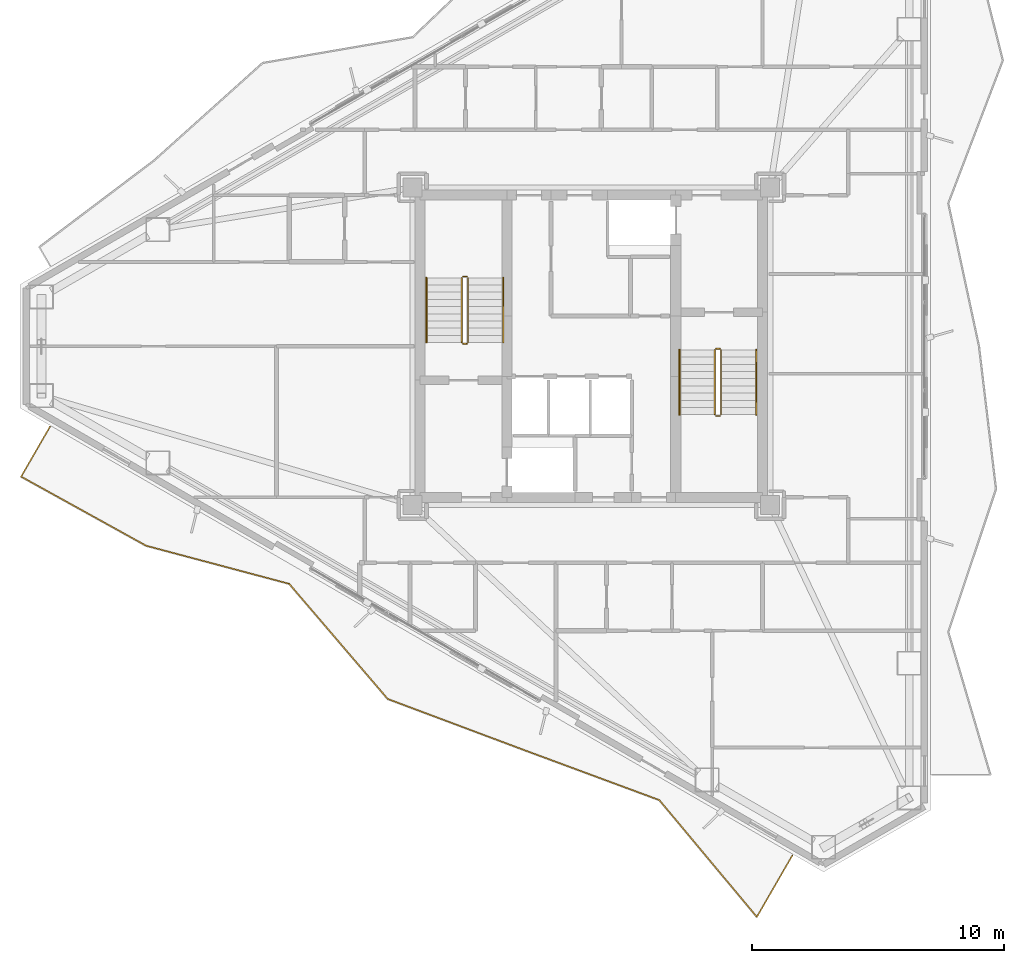
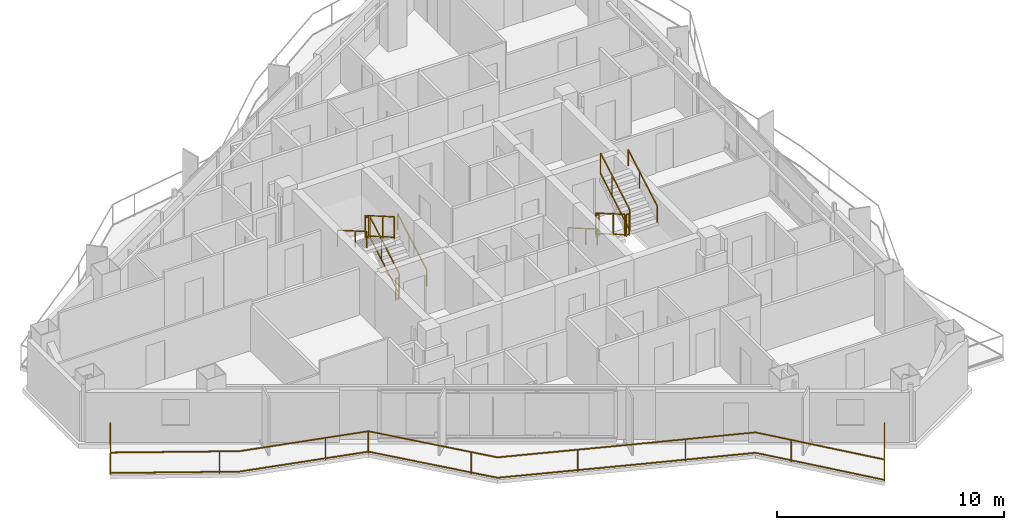
# One storey, part 17 of 18: 13 railings.
"""IFC4 building model written with IfcOpenShell, lengths in metres."""

from ifc_helpers import new_model, si_unit, direction, frame, origin, origin_2d, place, context, subcontext, project, spatial, rectangle, extrude, material, type_object, element, save


model = new_model("IFC4")

# Units and contexts
model_context = context("Model", 3, precision=1e-05, world=origin(), true_north=direction((0.0, 1.0)))
body_context = subcontext(model_context, "Body", "Model", "MODEL_VIEW")
ifc_project = project(units=[si_unit("LENGTHUNIT", "METRE"), si_unit("AREAUNIT", "SQUARE_METRE"), si_unit("VOLUMEUNIT", "CUBIC_METRE"), si_unit("PLANEANGLEUNIT", "RADIAN"), si_unit("MASSUNIT", "GRAM", prefix="KILO")], contexts=[model_context])

# Site, building, storey
site_placement = place(None, origin())
site = spatial("IfcSite", under=ifc_project, at=site_placement, CompositionType="ELEMENT")
building_placement = place(site_placement, origin())
building = spatial("IfcBuilding", under=site, at=building_placement, Name="Mersakhor Tower and Convention Hall", CompositionType="ELEMENT")
storey_placement = place(building_placement, frame((0.0, 0.0, 134.39990234375)))
storey = spatial("IfcBuildingStorey", under=building, at=storey_placement, Name="L37", CompositionType="ELEMENT", Elevation=134.39990234375)

# Railings
ifc_material_1 = material(Name="Powder-coated galvanised steel and laminated glass balustrade", Category="steel")
railing_type_1 = type_object("IfcRailingType", Name="RL-BAL-1200", PredefinedType="BALUSTRADE", material=ifc_material_1)
railing_1_placement = place(storey_placement, frame((7.497802734375, 23.5537109375, 0.0)))
element("IfcRailing", 1, at=railing_1_placement, inside=storey, type_object=railing_type_1, Name="L37 Sinusoidal Balcony Balustrade F3", PredefinedType="BALUSTRADE", context=body_context, shape_type="SweptSolid", body=[
    extrude(rectangle(XDim=0.048095703125, YDim=0.048095703125, at=origin_2d()), frame((0.0, 0.0, 1.17578125), z_axis=(-0.499987504325, -0.866032618045, 0.0), x_axis=(0.866032618045, -0.499987504325, 0.0)), (0.0, 0.0, 1.0), 2.28564453125),
    extrude(rectangle(XDim=0.048095703125, YDim=0.048095703125, at=origin_2d()), frame((0.0, 0.0, 0.080078125), z_axis=(-0.499987504325, -0.866032618045, 0.0), x_axis=(0.866032618045, -0.499987504325, 0.0)), (0.0, 0.0, 1.0), 2.28564453125),
    extrude(rectangle(XDim=0.048095703125, YDim=0.048095703125, at=origin_2d()), frame((-1.142822265625, -1.9794921875, 1.17578125), z_axis=(0.875192169092, -0.483775430504, 0.0), x_axis=(0.483775430504, 0.875192169092, 0.0)), (0.0, 0.0, 1.0), 5.67529296875),
    extrude(rectangle(XDim=0.048095703125, YDim=0.048095703125, at=origin_2d()), frame((-1.142822265625, -1.9794921875, 0.080078125), z_axis=(0.875192169092, -0.483775430504, 0.0), x_axis=(0.483775430504, 0.875192169092, 0.0)), (0.0, 0.0, 1.0), 5.67529296875),
    extrude(rectangle(XDim=0.048095703125, YDim=0.048095703125, at=origin_2d()), frame((3.82421875, -4.72509765625, 1.17578125), z_axis=(0.966330021895, -0.257305827342, 0.0), x_axis=(0.257305827342, 0.966330021895, 0.0)), (0.0, 0.0, 1.0), 5.877197265625),
    extrude(rectangle(XDim=0.048095703125, YDim=0.048095703125, at=origin_2d()), frame((3.82421875, -4.72509765625, 0.080078125), z_axis=(0.966330021895, -0.257305827342, 0.0), x_axis=(0.257305827342, 0.966330021895, 0.0)), (0.0, 0.0, 1.0), 5.877197265625),
    extrude(rectangle(XDim=0.048095703125, YDim=0.048095703125, at=origin_2d()), frame((9.50341796875, -6.2373046875, 1.17578125), z_axis=(0.650189764885, -0.759771853676, 0.0), x_axis=(0.759771853676, 0.650189764885, 0.0)), (0.0, 0.0, 1.0), 6.017578125),
    extrude(rectangle(XDim=0.048095703125, YDim=0.048095703125, at=origin_2d()), frame((9.50341796875, -6.2373046875, 0.080078125), z_axis=(0.650189764885, -0.759771853676, 0.0), x_axis=(0.759771853676, 0.650189764885, 0.0)), (0.0, 0.0, 1.0), 6.017578125),
    extrude(rectangle(XDim=0.048095703125, YDim=0.048095703125, at=origin_2d()), frame((13.416015625, -10.809326171875, 1.17578125), z_axis=(0.936445981979, -0.35081180544, 0.0), x_axis=(0.35081180544, 0.936445981979, 0.0)), (0.0, 0.0, 1.0), 5.75244140625),
    extrude(rectangle(XDim=0.048095703125, YDim=0.048095703125, at=origin_2d()), frame((13.416015625, -10.809326171875, 0.080078125), z_axis=(0.936445981979, -0.35081180544, 0.0), x_axis=(0.35081180544, 0.936445981979, 0.0)), (0.0, 0.0, 1.0), 5.75244140625),
    extrude(rectangle(XDim=0.048095703125, YDim=0.048095703125, at=origin_2d()), frame((18.802978515625, -12.827392578125, 1.17578125), z_axis=(0.937869433432, -0.346988365559, 0.0), x_axis=(0.346988365559, 0.937869433432, 0.0)), (0.0, 0.0, 1.0), 5.7568359375),
    extrude(rectangle(XDim=0.048095703125, YDim=0.048095703125, at=origin_2d()), frame((18.802978515625, -12.827392578125, 0.080078125), z_axis=(0.937869433432, -0.346988365559, 0.0), x_axis=(0.346988365559, 0.937869433432, 0.0)), (0.0, 0.0, 1.0), 5.7568359375),
    extrude(rectangle(XDim=0.048095703125, YDim=0.048095703125, at=origin_2d()), frame((24.2021484375, -14.824951171875, 1.17578125), z_axis=(0.640756311812, -0.767744325197, 0.0), x_axis=(0.767744325197, 0.640756311812, 0.0)), (0.0, 0.0, 1.0), 6.04443359375),
    extrude(rectangle(XDim=0.048095703125, YDim=0.048095703125, at=origin_2d()), frame((24.2021484375, -14.824951171875, 0.080078125), z_axis=(0.640756311812, -0.767744325197, 0.0), x_axis=(0.767744325197, 0.640756311812, 0.0)), (0.0, 0.0, 1.0), 6.04443359375),
    extrude(rectangle(XDim=0.048095703125, YDim=0.048095703125, at=origin_2d()), frame((28.0751953125, -19.465576171875, 1.17578125), z_axis=(0.500012199891, 0.86601836006, 0.0), x_axis=(-0.86601836006, 0.500012199891, 0.0)), (0.0, 0.0, 1.0), 2.8203125),
    extrude(rectangle(XDim=0.048095703125, YDim=0.048095703125, at=origin_2d()), frame((28.0751953125, -19.465576171875, 0.080078125), z_axis=(0.500012199891, 0.86601836006, 0.0), x_axis=(-0.86601836006, 0.500012199891, 0.0)), (0.0, 0.0, 1.0), 2.8203125),
    extrude(rectangle(XDim=0.0419921875, YDim=0.0419921875, at=origin_2d()), origin(), (0.0, 0.0, 1.0), 1.15185546875),
    extrude(rectangle(XDim=0.0419921875, YDim=0.0419921875, at=origin_2d()), frame((-1.142822265625, -1.9794921875, 0.0)), (0.0, 0.0, 1.0), 1.15185546875),
    extrude(rectangle(XDim=0.0419921875, YDim=0.0419921875, at=origin_2d()), frame((3.05810546875, -4.301513671875, 0.0)), (0.0, 0.0, 1.0), 1.15185546875),
    extrude(rectangle(XDim=0.0419921875, YDim=0.0419921875, at=origin_2d()), frame((7.61669921875, -5.73486328125, 0.0)), (0.0, 0.0, 1.0), 1.15185546875),
    extrude(rectangle(XDim=0.0419921875, YDim=0.0419921875, at=origin_2d()), frame((9.50341796875, -6.2373046875, 0.0)), (0.0, 0.0, 1.0), 1.15185546875),
    extrude(rectangle(XDim=0.0419921875, YDim=0.0419921875, at=origin_2d()), frame((12.624267578125, -9.88427734375, 0.0)), (0.0, 0.0, 1.0), 1.15185546875),
    extrude(rectangle(XDim=0.0419921875, YDim=0.0419921875, at=origin_2d()), frame((16.770751953125, -12.066162109375, 0.0)), (0.0, 0.0, 1.0), 1.15185546875),
    extrude(rectangle(XDim=0.0419921875, YDim=0.0419921875, at=origin_2d()), frame((21.269287109375, -13.739990234375, 0.0)), (0.0, 0.0, 1.0), 1.15185546875),
    extrude(rectangle(XDim=0.0419921875, YDim=0.0419921875, at=origin_2d()), frame((25.274169921875, -16.109375, 0.0)), (0.0, 0.0, 1.0), 1.15185546875),
    extrude(rectangle(XDim=0.0419921875, YDim=0.0419921875, at=origin_2d()), frame((28.0751953125, -19.465576171875, 0.0)), (0.0, 0.0, 1.0), 1.15185546875),
    extrude(rectangle(XDim=0.0419921875, YDim=0.0419921875, at=origin_2d()), frame((29.4853515625, -17.023193359375, 0.0)), (0.0, 0.0, 1.0), 1.15185546875),
])
ifc_material_2 = material(Name="Brushed stainless steel handrail", Category="steel")
railing_type_2 = type_object("IfcRailingType", Name="RL-HR-900", PredefinedType="HANDRAIL", material=ifc_material_2)
railing_2_placement = place(storey_placement, frame((25.5, 26.89990234375, 0.1650390625)))
element("IfcRailing", 2, at=railing_2_placement, inside=storey, type_object=railing_type_2, Name="L37 ST-1 stair handrail 1", PredefinedType="HANDRAIL", context=body_context, shape_type="SweptSolid", body=[
    extrude(rectangle(XDim=0.048095703125, YDim=0.048095703125, at=origin_2d()), frame((0.0, 0.0, 0.8759765625), z_axis=(0.0, 0.865426285481, 0.501036270542), x_axis=(-1.0, 0.0, 0.0)), (0.0, 0.0, 1.0), 2.964111328125),
    extrude(rectangle(XDim=0.0419921875, YDim=0.0419921875, at=origin_2d()), origin(), (0.0, 0.0, 1.0), 0.851806640625),
    extrude(rectangle(XDim=0.0419921875, YDim=0.0419921875, at=origin_2d()), frame((0.0, 1.557861328125, 0.90185546875)), (0.0, 0.0, 1.0), 0.851806640625),
    extrude(rectangle(XDim=0.0419921875, YDim=0.0419921875, at=origin_2d()), frame((0.0, 2.565185546875, 1.485107421875)), (0.0, 0.0, 1.0), 0.851806640625),
])
railing_3_placement = place(storey_placement, frame((22.449951171875, 29.465087890625, 1.815185546875)))
element("IfcRailing", 3, at=railing_3_placement, inside=storey, type_object=railing_type_2, Name="L37 ST-1 stair handrail 2", PredefinedType="HANDRAIL", context=body_context, shape_type="SweptSolid", body=[
    extrude(rectangle(XDim=0.048095703125, YDim=0.048095703125, at=origin_2d()), frame((0.0, 0.0, 0.8759765625), z_axis=(0.0, -0.865461999751, 0.500974577186), x_axis=(1.0, 0.0, 0.0)), (0.0, 0.0, 1.0), 2.9638671875),
    extrude(rectangle(XDim=0.0419921875, YDim=0.0419921875, at=origin_2d()), origin(), (0.0, 0.0, 1.0), 0.851806640625),
    extrude(rectangle(XDim=0.0419921875, YDim=0.0419921875, at=origin_2d()), frame((0.0, -1.557861328125, 0.90185546875)), (0.0, 0.0, 1.0), 0.851806640625),
    extrude(rectangle(XDim=0.0419921875, YDim=0.0419921875, at=origin_2d()), frame((0.0, -2.565185546875, 1.48486328125)), (0.0, 0.0, 1.0), 0.851806640625),
])
railing_4_placement = place(storey_placement, frame((32.5, 26.60009765625, 0.1650390625)))
element("IfcRailing", 4, at=railing_4_placement, inside=storey, type_object=railing_type_2, Name="L37 ST-2 stair handrail 1", PredefinedType="HANDRAIL", context=body_context, shape_type="SweptSolid", body=[
    extrude(rectangle(XDim=0.048095703125, YDim=0.048095703125, at=origin_2d()), frame((0.0, 0.0, 0.8759765625), z_axis=(0.0, -0.865426285481, 0.501036270542), x_axis=(1.0, 0.0, 0.0)), (0.0, 0.0, 1.0), 2.964111328125),
    extrude(rectangle(XDim=0.0419921875, YDim=0.0419921875, at=origin_2d()), origin(), (0.0, 0.0, 1.0), 0.851806640625),
    extrude(rectangle(XDim=0.0419921875, YDim=0.0419921875, at=origin_2d()), frame((0.0, -1.557861328125, 0.90185546875)), (0.0, 0.0, 1.0), 0.851806640625),
    extrude(rectangle(XDim=0.0419921875, YDim=0.0419921875, at=origin_2d()), frame((0.0, -2.565185546875, 1.485107421875)), (0.0, 0.0, 1.0), 0.851806640625),
])
railing_5_placement = place(storey_placement, frame((35.550048828125, 24.034912109375, 1.815185546875)))
element("IfcRailing", 5, at=railing_5_placement, inside=storey, type_object=railing_type_2, Name="L37 ST-2 stair handrail 2", PredefinedType="HANDRAIL", context=body_context, shape_type="SweptSolid", body=[
    extrude(rectangle(XDim=0.048095703125, YDim=0.048095703125, at=origin_2d()), frame((0.0, 0.0, 0.8759765625), z_axis=(0.0, 0.865461999751, 0.500974577186), x_axis=(-1.0, 0.0, 0.0)), (0.0, 0.0, 1.0), 2.9638671875),
    extrude(rectangle(XDim=0.0419921875, YDim=0.0419921875, at=origin_2d()), origin(), (0.0, 0.0, 1.0), 0.851806640625),
    extrude(rectangle(XDim=0.0419921875, YDim=0.0419921875, at=origin_2d()), frame((0.0, 1.557861328125, 0.90185546875)), (0.0, 0.0, 1.0), 0.851806640625),
    extrude(rectangle(XDim=0.0419921875, YDim=0.0419921875, at=origin_2d()), frame((0.0, 2.565185546875, 1.48486328125)), (0.0, 0.0, 1.0), 0.851806640625),
])
ifc_material_3 = material(Name="Painted steel stair balustrade S355", Category="steel")
railing_type_3 = type_object("IfcRailingType", Name="RL-STG-1200", PredefinedType="BALUSTRADE", material=ifc_material_3)
railing_6_placement = place(storey_placement, frame((24.10009765625, 26.89990234375, 0.1650390625)))
element("IfcRailing", 6, at=railing_6_placement, inside=storey, type_object=railing_type_3, Name="L37 ST-1 stair guard 1", PredefinedType="BALUSTRADE", context=body_context, shape_type="SweptSolid", body=[
    extrude(rectangle(XDim=0.048095703125, YDim=0.048095703125, at=origin_2d()), frame((0.0, 0.0, 1.17578125), z_axis=(0.0, 0.865426285481, 0.501036270542), x_axis=(-1.0, 0.0, 0.0)), (0.0, 0.0, 1.0), 2.964111328125),
    extrude(rectangle(XDim=0.048095703125, YDim=0.048095703125, at=origin_2d()), frame((0.0, 0.0, 0.080078125), z_axis=(0.0, 0.865426285481, 0.501036270542), x_axis=(-1.0, 0.0, 0.0)), (0.0, 0.0, 1.0), 2.964111328125),
    extrude(rectangle(XDim=0.0419921875, YDim=0.0419921875, at=origin_2d()), origin(), (0.0, 0.0, 1.0), 1.15185546875),
    extrude(rectangle(XDim=0.0419921875, YDim=0.0419921875, at=origin_2d()), frame((0.0, 1.557861328125, 0.90185546875)), (0.0, 0.0, 1.0), 1.15185546875),
    extrude(rectangle(XDim=0.0419921875, YDim=0.0419921875, at=origin_2d()), frame((0.0, 2.565185546875, 1.485107421875)), (0.0, 0.0, 1.0), 1.15185546875),
])
railing_7_placement = place(storey_placement, frame((24.050048828125, 29.514892578125, 1.650146484375)))
element("IfcRailing", 7, at=railing_7_placement, inside=storey, type_object=railing_type_3, Name="L37 ST-1 stair guard 2", PredefinedType="BALUSTRADE", context=body_context, shape_type="SweptSolid", body=[
    extrude(rectangle(XDim=0.048095703125, YDim=0.048095703125, at=origin_2d()), frame((0.0, 0.0, 1.17578125), z_axis=(-1.0, 0.0, 0.0), x_axis=(0.0, -1.0, 0.0)), (0.0, 0.0, 1.0), 0.150146484375),
    extrude(rectangle(XDim=0.048095703125, YDim=0.048095703125, at=origin_2d()), frame((0.0, 0.0, 0.080078125), z_axis=(-1.0, 0.0, 0.0), x_axis=(0.0, -1.0, 0.0)), (0.0, 0.0, 1.0), 0.150146484375),
    extrude(rectangle(XDim=0.0419921875, YDim=0.0419921875, at=origin_2d()), origin(), (0.0, 0.0, 1.0), 1.15185546875),
    extrude(rectangle(XDim=0.0419921875, YDim=0.0419921875, at=origin_2d()), frame((-0.150146484375, 0.0, 0.0)), (0.0, 0.0, 1.0), 1.15185546875),
])
railing_8_placement = place(storey_placement, frame((23.85009765625, 29.465087890625, 1.815185546875)))
element("IfcRailing", 8, at=railing_8_placement, inside=storey, type_object=railing_type_3, Name="L37 ST-1 stair guard 3", PredefinedType="BALUSTRADE", context=body_context, shape_type="SweptSolid", body=[
    extrude(rectangle(XDim=0.048095703125, YDim=0.048095703125, at=origin_2d()), frame((0.0, 0.0, 1.17578125), z_axis=(0.0, -0.865461999751, 0.500974577186), x_axis=(1.0, 0.0, 0.0)), (0.0, 0.0, 1.0), 2.9638671875),
    extrude(rectangle(XDim=0.048095703125, YDim=0.048095703125, at=origin_2d()), frame((0.0, 0.0, 0.080078125), z_axis=(0.0, -0.865461999751, 0.500974577186), x_axis=(1.0, 0.0, 0.0)), (0.0, 0.0, 1.0), 2.9638671875),
    extrude(rectangle(XDim=0.0419921875, YDim=0.0419921875, at=origin_2d()), origin(), (0.0, 0.0, 1.0), 1.15185546875),
    extrude(rectangle(XDim=0.0419921875, YDim=0.0419921875, at=origin_2d()), frame((0.0, -1.557861328125, 0.90185546875)), (0.0, 0.0, 1.0), 1.15185546875),
    extrude(rectangle(XDim=0.0419921875, YDim=0.0419921875, at=origin_2d()), frame((0.0, -2.565185546875, 1.48486328125)), (0.0, 0.0, 1.0), 1.15185546875),
])
railing_9_placement = place(storey_placement, frame((24.050048828125, 26.85009765625, 0.0)))
element("IfcRailing", 9, at=railing_9_placement, inside=storey, type_object=railing_type_3, Name="L37 ST-1 stair guard 4", PredefinedType="BALUSTRADE", context=body_context, shape_type="SweptSolid", body=[
    extrude(rectangle(XDim=0.048095703125, YDim=0.048095703125, at=origin_2d()), frame((0.0, 0.0, 1.17578125), z_axis=(-1.0, 0.0, 0.0), x_axis=(0.0, -1.0, 0.0)), (0.0, 0.0, 1.0), 0.150146484375),
    extrude(rectangle(XDim=0.048095703125, YDim=0.048095703125, at=origin_2d()), frame((0.0, 0.0, 0.080078125), z_axis=(-1.0, 0.0, 0.0), x_axis=(0.0, -1.0, 0.0)), (0.0, 0.0, 1.0), 0.150146484375),
    extrude(rectangle(XDim=0.0419921875, YDim=0.0419921875, at=origin_2d()), origin(), (0.0, 0.0, 1.0), 1.15185546875),
    extrude(rectangle(XDim=0.0419921875, YDim=0.0419921875, at=origin_2d()), frame((-0.150146484375, 0.0, 0.0)), (0.0, 0.0, 1.0), 1.15185546875),
])
railing_10_placement = place(storey_placement, frame((33.89990234375, 26.60009765625, 0.1650390625)))
element("IfcRailing", 10, at=railing_10_placement, inside=storey, type_object=railing_type_3, Name="L37 ST-2 stair guard 1", PredefinedType="BALUSTRADE", context=body_context, shape_type="SweptSolid", body=[
    extrude(rectangle(XDim=0.048095703125, YDim=0.048095703125, at=origin_2d()), frame((0.0, 0.0, 1.17578125), z_axis=(0.0, -0.865426285481, 0.501036270542), x_axis=(1.0, 0.0, 0.0)), (0.0, 0.0, 1.0), 2.964111328125),
    extrude(rectangle(XDim=0.048095703125, YDim=0.048095703125, at=origin_2d()), frame((0.0, 0.0, 0.080078125), z_axis=(0.0, -0.865426285481, 0.501036270542), x_axis=(1.0, 0.0, 0.0)), (0.0, 0.0, 1.0), 2.964111328125),
    extrude(rectangle(XDim=0.0419921875, YDim=0.0419921875, at=origin_2d()), origin(), (0.0, 0.0, 1.0), 1.15185546875),
    extrude(rectangle(XDim=0.0419921875, YDim=0.0419921875, at=origin_2d()), frame((0.0, -1.557861328125, 0.90185546875)), (0.0, 0.0, 1.0), 1.15185546875),
    extrude(rectangle(XDim=0.0419921875, YDim=0.0419921875, at=origin_2d()), frame((0.0, -2.565185546875, 1.485107421875)), (0.0, 0.0, 1.0), 1.15185546875),
])
railing_11_placement = place(storey_placement, frame((33.949951171875, 23.985107421875, 1.650146484375)))
element("IfcRailing", 11, at=railing_11_placement, inside=storey, type_object=railing_type_3, Name="L37 ST-2 stair guard 2", PredefinedType="BALUSTRADE", context=body_context, shape_type="SweptSolid", body=[
    extrude(rectangle(XDim=0.048095703125, YDim=0.048095703125, at=origin_2d()), frame((0.0, 0.0, 1.17578125), z_axis=(1.0, 0.0, 0.0), x_axis=(0.0, 1.0, 0.0)), (0.0, 0.0, 1.0), 0.150146484375),
    extrude(rectangle(XDim=0.048095703125, YDim=0.048095703125, at=origin_2d()), frame((0.0, 0.0, 0.080078125), z_axis=(1.0, 0.0, 0.0), x_axis=(0.0, 1.0, 0.0)), (0.0, 0.0, 1.0), 0.150146484375),
    extrude(rectangle(XDim=0.0419921875, YDim=0.0419921875, at=origin_2d()), origin(), (0.0, 0.0, 1.0), 1.15185546875),
    extrude(rectangle(XDim=0.0419921875, YDim=0.0419921875, at=origin_2d()), frame((0.150146484375, 0.0, 0.0)), (0.0, 0.0, 1.0), 1.15185546875),
])
railing_12_placement = place(storey_placement, frame((34.14990234375, 24.034912109375, 1.815185546875)))
element("IfcRailing", 12, at=railing_12_placement, inside=storey, type_object=railing_type_3, Name="L37 ST-2 stair guard 3", PredefinedType="BALUSTRADE", context=body_context, shape_type="SweptSolid", body=[
    extrude(rectangle(XDim=0.048095703125, YDim=0.048095703125, at=origin_2d()), frame((0.0, 0.0, 1.17578125), z_axis=(0.0, 0.865461999751, 0.500974577186), x_axis=(-1.0, 0.0, 0.0)), (0.0, 0.0, 1.0), 2.9638671875),
    extrude(rectangle(XDim=0.048095703125, YDim=0.048095703125, at=origin_2d()), frame((0.0, 0.0, 0.080078125), z_axis=(0.0, 0.865461999751, 0.500974577186), x_axis=(-1.0, 0.0, 0.0)), (0.0, 0.0, 1.0), 2.9638671875),
    extrude(rectangle(XDim=0.0419921875, YDim=0.0419921875, at=origin_2d()), origin(), (0.0, 0.0, 1.0), 1.15185546875),
    extrude(rectangle(XDim=0.0419921875, YDim=0.0419921875, at=origin_2d()), frame((0.0, 1.557861328125, 0.90185546875)), (0.0, 0.0, 1.0), 1.15185546875),
    extrude(rectangle(XDim=0.0419921875, YDim=0.0419921875, at=origin_2d()), frame((0.0, 2.565185546875, 1.48486328125)), (0.0, 0.0, 1.0), 1.15185546875),
])
railing_13_placement = place(storey_placement, frame((33.949951171875, 26.64990234375, 0.0)))
element("IfcRailing", 13, at=railing_13_placement, inside=storey, type_object=railing_type_3, Name="L37 ST-2 stair guard 4", PredefinedType="BALUSTRADE", context=body_context, shape_type="SweptSolid", body=[
    extrude(rectangle(XDim=0.048095703125, YDim=0.048095703125, at=origin_2d()), frame((0.0, 0.0, 1.17578125), z_axis=(1.0, 0.0, 0.0), x_axis=(0.0, 1.0, 0.0)), (0.0, 0.0, 1.0), 0.150146484375),
    extrude(rectangle(XDim=0.048095703125, YDim=0.048095703125, at=origin_2d()), frame((0.0, 0.0, 0.080078125), z_axis=(1.0, 0.0, 0.0), x_axis=(0.0, 1.0, 0.0)), (0.0, 0.0, 1.0), 0.150146484375),
    extrude(rectangle(XDim=0.0419921875, YDim=0.0419921875, at=origin_2d()), origin(), (0.0, 0.0, 1.0), 1.15185546875),
    extrude(rectangle(XDim=0.0419921875, YDim=0.0419921875, at=origin_2d()), frame((0.150146484375, 0.0, 0.0)), (0.0, 0.0, 1.0), 1.15185546875),
])

save(model, "model.ifc")
